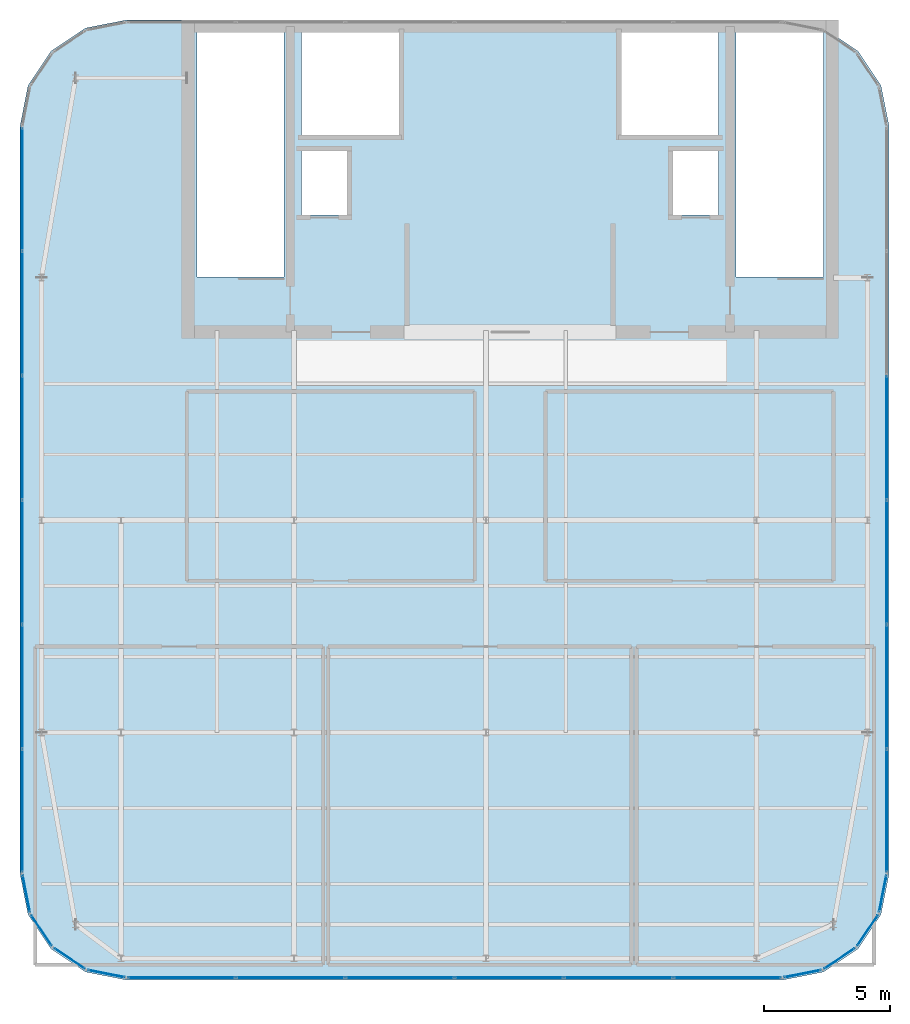
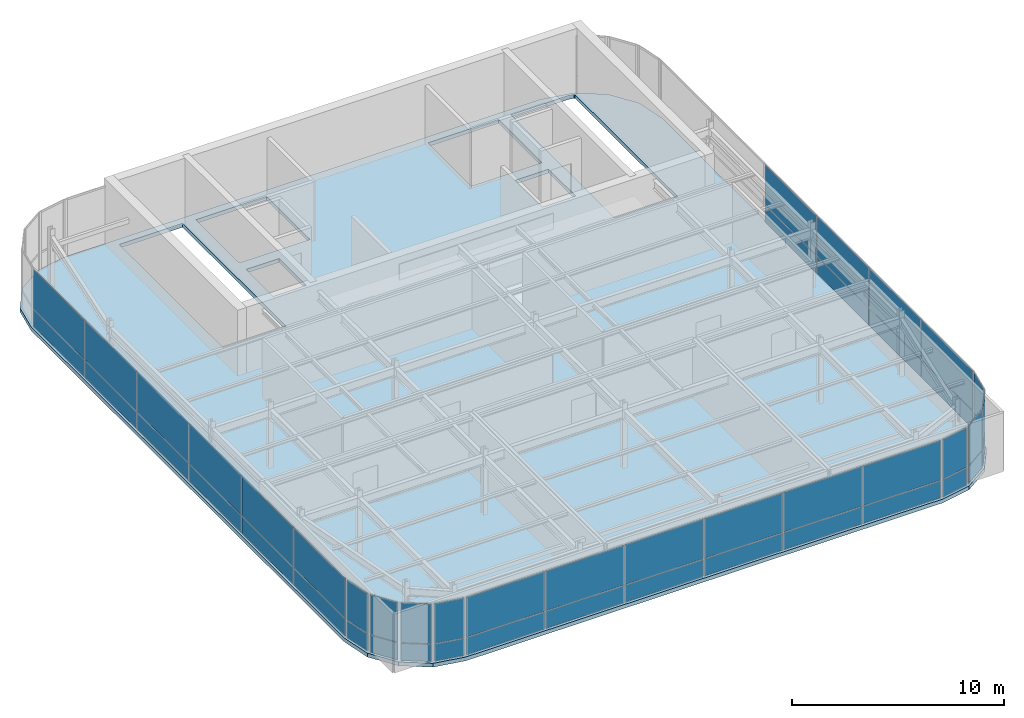
# One storey, part 29 of 35: 48 plates, 1 slab, 11 elements without a shape of their own.
"""IFC4 building model written with IfcOpenShell, lengths in metres."""

import ifcopenshell
import ifcopenshell.guid

model = None  # the IFC model being written
_history = None  # IfcOwnerHistory: only IFC2X3 demands one
_inside = {}  # id of a spatial element -> (the spatial element, [elements in it])
_under = {}  # id of a project, library or spatial element -> (it, [spatial elements below it])
_declared = {}  # id of a project -> (the project, [libraries it declares])
_typed = {}  # id of a type object -> (the type object, [elements of that type])
_made_of = {}  # id of a material, layer set ... -> (it, [elements and type objects made of it])


def new_model(schema):
    """Start an empty IFC model of exactly this schema.

    Asked for "IFC4X3", IfcOpenShell would pick the latest addendum, in which some entities
    have other attributes; the version numbers below select the first issue.
    IFC2X3 requires an IfcOwnerHistory on every rooted entity: one is made here for all.
    """
    global model, _history
    if schema == "IFC4X3":
        model = ifcopenshell.file(schema_version=(4, 3, 0, 0))
    else:
        model = ifcopenshell.file(schema=schema)
    _inside.clear()
    _under.clear()
    _declared.clear()
    _typed.clear()
    _made_of.clear()
    _history = None
    if model.schema == "IFC2X3":
        org = make("IfcOrganization", Name="unknown")
        user = make(
            "IfcPersonAndOrganization",
            ThePerson=make("IfcPerson", FamilyName="unknown"),
            TheOrganization=org,
        )
        app = make(
            "IfcApplication",
            ApplicationDeveloper=org,
            Version="unknown",
            ApplicationFullName="unknown",
            ApplicationIdentifier="unknown",
        )
        _history = make(
            "IfcOwnerHistory",
            OwningUser=user,
            OwningApplication=app,
            ChangeAction="ADDED",
            CreationDate=0,
        )
    return model


def make(cls, **values):
    """One entity of the class cls with the attributes given. An attribute that is None is left unset."""
    return model.create_entity(
        cls, **{name: value for name, value in values.items() if value is not None}
    )


def rooted(cls, **values):
    """An entity with a GlobalId (a new one), such as an element, a storey or a relation."""
    return make(cls, GlobalId=ifcopenshell.guid.new(), OwnerHistory=_history, **values)


def si_unit(unit_type, name, prefix=None):
    """IfcSIUnit, for example si_unit("LENGTHUNIT", "METRE", prefix="MILLI")."""
    return make("IfcSIUnit", UnitType=unit_type, Prefix=prefix, Name=name)


def assignment(units):
    """IfcUnitAssignment: the units of a project."""
    return None if units is None else make("IfcUnitAssignment", Units=units)


def point(xyz):
    """IfcCartesianPoint."""
    return None if xyz is None else make("IfcCartesianPoint", Coordinates=xyz)


def direction(xyz):
    """IfcDirection."""
    return None if xyz is None else make("IfcDirection", DirectionRatios=xyz)


def frame(location, z_axis=None, x_axis=None):
    """IfcAxis2Placement3D, a coordinate frame: its origin and axes. An axis left out is left unset."""
    return make(
        "IfcAxis2Placement3D",
        Location=point(location),
        Axis=direction(z_axis),
        RefDirection=direction(x_axis),
    )


def frame_2d(location, x_axis=None):
    """IfcAxis2Placement2D, a coordinate frame in the plane: its origin and x axis."""
    return make(
        "IfcAxis2Placement2D", Location=point(location), RefDirection=direction(x_axis)
    )


def origin():
    """The frame at (0, 0, 0) with its axes left unset."""
    return frame((0.0, 0.0, 0.0))


def origin_2d():
    """The frame at (0, 0) in the plane with its x axis left unset."""
    return frame_2d((0.0, 0.0))


def place(relative_to, where):
    """IfcLocalPlacement: puts the frame where relative to a parent placement (None: the world)."""
    return make(
        "IfcLocalPlacement", PlacementRelTo=relative_to, RelativePlacement=where
    )


def context(
    kind, dimensions, precision=None, world=None, true_north=None, identifier=None
):
    """IfcGeometricRepresentationContext, for example the 3D "Model" context."""
    return make(
        "IfcGeometricRepresentationContext",
        ContextIdentifier=identifier,
        ContextType=kind,
        CoordinateSpaceDimension=dimensions,
        Precision=precision,
        WorldCoordinateSystem=world,
        TrueNorth=true_north,
    )


def subcontext(parent, identifier, kind, view, scale=None):
    """IfcGeometricRepresentationSubContext, for example "Body" below "Model"."""
    return make(
        "IfcGeometricRepresentationSubContext",
        ContextIdentifier=identifier,
        ContextType=kind,
        ParentContext=parent,
        TargetScale=scale,
        TargetView=view,
    )


def project(units=None, contexts=None):
    """IfcProject with its units and contexts."""
    return rooted(
        "IfcProject",
        Name="project",
        RepresentationContexts=contexts,
        UnitsInContext=assignment(units),
    )


def spatial(cls, under=None, at=None, **own):
    """A site, building, storey or space (cls), placed at a placement, below another one or the project."""
    s = rooted(cls, ObjectPlacement=at, **own)
    if under is not None:
        _under.setdefault(under.id(), (under, []))[1].append(s)
    return s


def polyline(points):
    """IfcPolyline through the points."""
    return make("IfcPolyline", Points=[point(p) for p in points])


def profile(cls, at=None, kind="AREA", **sizes):
    """A parametric profile (cls). Its sizes go by their IFC names, for example OverallWidth=200.0."""
    return make(cls, ProfileType=kind, Position=at, **sizes)


def rectangle(**sizes):
    """IfcRectangleProfileDef."""
    return profile("IfcRectangleProfileDef", **sizes)


def outline(outer, holes=None, kind="AREA"):
    """IfcArbitraryClosedProfileDef: a profile drawn as a closed curve; with holes, ...WithVoids."""
    if holes is None:
        return make("IfcArbitraryClosedProfileDef", ProfileType=kind, OuterCurve=outer)
    return make(
        "IfcArbitraryProfileDefWithVoids",
        ProfileType=kind,
        OuterCurve=outer,
        InnerCurves=holes,
    )


def extrude(swept, where, along, depth):
    """IfcExtrudedAreaSolid: the profile swept, set in the frame where, extruded along a direction by depth."""
    return make(
        "IfcExtrudedAreaSolid",
        SweptArea=swept,
        Position=where,
        ExtrudedDirection=direction(along),
        Depth=depth,
    )


def shape(context_of_items, identifier, shape_type, items):
    """IfcShapeRepresentation: the items that make up one representation, for example the "Body"."""
    return make(
        "IfcShapeRepresentation",
        ContextOfItems=context_of_items,
        RepresentationIdentifier=identifier,
        RepresentationType=shape_type,
        Items=items,
    )


def source(mapping_origin, context_of_items, identifier, shape_type, items):
    """IfcRepresentationMap: a shape defined once, which mapped items show again and again."""
    return make(
        "IfcRepresentationMap",
        MappingOrigin=mapping_origin,
        MappedRepresentation=shape(context_of_items, identifier, shape_type, items),
    )


def transform(
    local_origin,
    x_axis=None,
    y_axis=None,
    z_axis=None,
    scale=None,
    scale2=None,
    scale3=None,
    uniform=True,
):
    """IfcCartesianTransformationOperator3D, or its non-uniform kind. x_axis, y_axis, z_axis: its Axis1, 2, 3."""
    if uniform:
        return make(
            "IfcCartesianTransformationOperator3D",
            Axis1=direction(x_axis),
            Axis2=direction(y_axis),
            LocalOrigin=point(local_origin),
            Scale=scale,
            Axis3=direction(z_axis),
        )
    return make(
        "IfcCartesianTransformationOperator3DnonUniform",
        Axis1=direction(x_axis),
        Axis2=direction(y_axis),
        LocalOrigin=point(local_origin),
        Scale=scale,
        Axis3=direction(z_axis),
        Scale2=scale2,
        Scale3=scale3,
    )


def mapped(mapping_source, mapping_target):
    """IfcMappedItem: shows the shape of a source again, moved by a transform."""
    return make(
        "IfcMappedItem", MappingSource=mapping_source, MappingTarget=mapping_target
    )


def material(Name=None, Category=None):
    """IfcMaterial."""
    return make("IfcMaterial", Name=Name, Category=Category)


def layer(
    of_material, thickness, ventilated=None, Name=None, Category=None, Priority=None
):
    """IfcMaterialLayer: one layer of a wall or slab, of a material (None: an air gap)."""
    return make(
        "IfcMaterialLayer",
        Material=of_material,
        LayerThickness=thickness,
        IsVentilated=ventilated,
        Name=Name,
        Category=Category,
        Priority=Priority,
    )


def layer_set(layers, Name=None):
    """IfcMaterialLayerSet."""
    return make("IfcMaterialLayerSet", MaterialLayers=layers, LayerSetName=Name)


def made_of(thing, what):
    """Note that an element or type object is made of a material, layer set ...; save() writes the relation."""
    if what is not None:
        _made_of.setdefault(what.id(), (what, []))[1].append(thing)
    return thing


def type_object(cls, material=None, **own):
    """A type object (cls), such as IfcWallType, which elements share."""
    return made_of(rooted(cls, **own), material)


def type_shapes(of_type, sources):
    """Give a type object the sources (RepresentationMaps) that its elements show as mapped items."""
    of_type.RepresentationMaps = sources


def element(
    cls,
    number,
    at=None,
    inside=None,
    cuts=None,
    type_object=None,
    material=None,
    context=None,
    identifier="Body",
    shape_type=None,
    held_by="IfcProductDefinitionShape",
    body=None,
    shapes=None,
    **own,
):
    """One element of the class cls, such as IfcWall. Its Tag is "e" and its number.

    at: its placement. inside: the storey or other place that contains it. cuts: it is an
    opening in that element (IfcRelVoidsElement). A single representation is given by context,
    identifier, shape_type and body (its items); several are given by shapes. held_by: the class
    of the entity that holds the representations. save() writes the other relations.
    """
    e = rooted(cls, Tag="e%d" % number, ObjectPlacement=at, **own)
    if body is not None:
        shapes = [shape(context, identifier, shape_type, body)]
    if shapes is not None:
        e.Representation = make(held_by, Representations=shapes)
    if inside is not None:
        _inside.setdefault(inside.id(), (inside, []))[1].append(e)
    if cuts is not None:
        rooted(
            "IfcRelVoidsElement", RelatingBuildingElement=cuts, RelatedOpeningElement=e
        )
    if type_object is not None:
        _typed.setdefault(type_object.id(), (type_object, []))[1].append(e)
    return made_of(e, material)


def aggregate(whole, parts):
    """IfcRelAggregates: a whole, such as a stair, and the parts it consists of."""
    return rooted("IfcRelAggregates", RelatingObject=whole, RelatedObjects=parts)


def save(model, path):
    """Write the relations noted so far, then the file.

    IfcRelAggregates (storeys below a building ...), IfcRelContainedInSpatialStructure (elements
    in a storey), IfcRelDefinesByType, IfcRelAssociatesMaterial and IfcRelDeclares: one each for
    every whole, place, type object, material and project.
    """
    for whole, parts in _under.values():
        aggregate(whole, parts)
    for where, things in _inside.values():
        rooted(
            "IfcRelContainedInSpatialStructure",
            RelatedElements=things,
            RelatingStructure=where,
        )
    for kind, things in _typed.values():
        rooted("IfcRelDefinesByType", RelatedObjects=things, RelatingType=kind)
    for what, things in _made_of.values():
        rooted("IfcRelAssociatesMaterial", RelatedObjects=things, RelatingMaterial=what)
    for by, libraries in _declared.values():
        rooted("IfcRelDeclares", RelatingContext=by, RelatedDefinitions=libraries)
    model.write(path)


model = new_model("IFC4")

# Units and contexts
model_context = context("Model", 3, precision=1e-05, world=origin(), true_north=direction((0.0, 1.0)))
body_context = subcontext(model_context, "Body", "Model", "MODEL_VIEW")
ifc_project = project(units=[si_unit("LENGTHUNIT", "METRE"), si_unit("AREAUNIT", "SQUARE_METRE"), si_unit("VOLUMEUNIT", "CUBIC_METRE"), si_unit("PLANEANGLEUNIT", "RADIAN"), si_unit("MASSUNIT", "GRAM", prefix="KILO")], contexts=[model_context])

# Site, building, storey
site_placement = place(None, origin())
site = spatial("IfcSite", under=ifc_project, at=site_placement, CompositionType="ELEMENT")
building_placement = place(site_placement, origin())
building = spatial("IfcBuilding", under=site, at=building_placement, Name="Tolvann Quenvar Hotel", CompositionType="ELEMENT")
storey_placement = place(building_placement, frame((0.0, 0.0, 309.949951171875)))
storey = spatial("IfcBuildingStorey", under=building, at=storey_placement, Name="L82", CompositionType="ELEMENT", Elevation=309.949951171875)

# Slab
ifc_material_1 = material(Name="Concrete N50 (50 MPa)", Category="concrete")
ifc_layer_1 = layer(ifc_material_1, 0.219970703125)
ifc_layer_set_1 = layer_set([ifc_layer_1], Name="Concrete N50 (50 MPa)")
slab_type = type_object("IfcSlabType", Name="SLAB_UPR_220", PredefinedType="FLOOR", material=ifc_layer_set_1)
slab_placement = place(storey_placement, frame((0.0, 0.0, -0.219970703125)))
element("IfcSlab", 1, at=slab_placement, inside=storey, type_object=slab_type, Name="Level L82 Structural Floor Slab", PredefinedType="FLOOR", context=body_context, shape_type="SweptSolid", body=[
    extrude(outline(polyline([(3.60009765625, 10.39990234375), (3.919677734375, 8.792724609375), (4.830078125, 7.43017578125), (6.192626953125, 6.519775390625), (7.800048828125, 6.199951171875), (33.800048828125, 6.199951171875), (35.4072265625, 6.519775390625), (36.769775390625, 7.43017578125), (37.680419921875, 8.792724609375), (38.0, 10.39990234375), (38.0, 40.0), (37.680419921875, 41.607421875), (36.769775390625, 42.9697265625), (35.4072265625, 43.88037109375), (33.800048828125, 44.199951171875), (7.800048828125, 44.199951171875), (6.192626953125, 43.88037109375), (4.830078125, 42.9697265625), (3.919677734375, 41.607421875), (3.60009765625, 40.0), (3.60009765625, 10.39990234375)]), holes=[polyline([(35.093505859375, 43.800048828125), (35.352783203125, 43.748291015625), (35.39990234375, 43.716796875), (35.39990234375, 34.02490234375), (31.949951171875, 34.02490234375), (31.949951171875, 43.800048828125), (35.093505859375, 43.800048828125)]), polyline([(29.449951171875, 36.47998046875), (29.449951171875, 39.02001953125), (31.25, 39.02001953125), (31.25, 36.47998046875), (29.449951171875, 36.47998046875)]), polyline([(27.39990234375, 39.64990234375), (27.39990234375, 43.75), (31.25, 43.75), (31.25, 39.64990234375), (27.39990234375, 39.64990234375)]), polyline([(14.75, 39.64990234375), (14.75, 43.75), (18.60009765625, 43.75), (18.60009765625, 39.64990234375), (14.75, 39.64990234375)]), polyline([(16.550048828125, 36.47998046875), (14.75, 36.47998046875), (14.75, 39.02001953125), (16.550048828125, 39.02001953125), (16.550048828125, 36.47998046875)]), polyline([(14.050048828125, 34.02490234375), (10.60009765625, 34.02490234375), (10.60009765625, 43.800048828125), (14.050048828125, 43.800048828125), (14.050048828125, 34.02490234375)])]), origin(), (0.0, 0.0, 1.0), 0.219970703125),
])

# Curtain wall, plate
ifc_material_2 = material(Name="Thermally broken anodised architectural aluminium 6063-T6 and laminated low-E glass", Category="aluminium")
ifc_layer_2 = layer(ifc_material_2, 0.179931640625)
ifc_layer_set_2 = layer_set([ifc_layer_2], Name="Thermally broken anodised architectural aluminium 6063-T6 and laminated low-E glass")
curtain_wall_type = type_object("IfcCurtainWallType", Name="CW_SYS_LANT_06", PredefinedType="USERDEFINED", material=ifc_layer_set_2)
curtain_wall_1_placement = place(storey_placement, origin())
curtain_wall_1 = element("IfcCurtainWall", 2, at=curtain_wall_1_placement, inside=storey, type_object=curtain_wall_type, Name="Curtain Wall CW-LANT-06 (CWR-L82-E01)", ObjectType="UNITISED CURTAIN WALL", PredefinedType="USERDEFINED")
ifc_material_3 = material(Name="Diffused translucent ceramic-frit laminated lantern glass", Category="glass")
ifc_layer_3 = layer(ifc_material_3, 0.031982421875)
ifc_layer_set_3 = layer_set([ifc_layer_3], Name="Diffused translucent ceramic-frit laminated lantern glass")
plate_type = type_object("IfcPlateType", Name="CW_PAN_LANT_32", PredefinedType="CURTAIN_PANEL", material=ifc_layer_set_3)
shared_shape_1 = source(origin(), body_context, "Body", "SweptSolid", [
    extrude(rectangle(XDim=1.439208984375, YDim=0.031982421875, at=origin_2d()), origin(), (0.0, 0.0, 1.0), 0.97509765625),
])
plate_1_placement = place(storey_placement, frame((4.44970703125, 8.16162109375, 0.050048828125), z_axis=(0.0, 0.0, 1.0), x_axis=(0.555655769644, -0.831412452193, 0.0)))
plate_1 = element("IfcPlate", 3, at=plate_1_placement, type_object=plate_type, Name="CW-LANT-06 panel 1.1", PredefinedType="CURTAIN_PANEL", context=body_context, shape_type="MappedRepresentation", body=[
    mapped(shared_shape_1, transform((0.0, 0.0, 0.0), x_axis=(1.0, 0.0, 0.0), y_axis=(0.0, 1.0, 0.0), z_axis=(0.0, 0.0, 1.0), scale=1.0)),
])

curtain_wall_2_placement = place(storey_placement, origin())
curtain_wall_2 = element("IfcCurtainWall", 4, at=curtain_wall_2_placement, inside=storey, type_object=curtain_wall_type, Name="Curtain Wall CW-LANT-06 (CWR-L82-E02)", ObjectType="UNITISED CURTAIN WALL", PredefinedType="USERDEFINED")
plate_2_placement = place(storey_placement, frame((5.5615234375, 7.0498046875, 0.050048828125), z_axis=(0.0, 0.0, 1.0), x_axis=(0.831412452193, -0.555655769644, 0.0)))
plate_2 = element("IfcPlate", 5, at=plate_2_placement, type_object=plate_type, Name="CW-LANT-06 panel 1.1", PredefinedType="CURTAIN_PANEL", context=body_context, shape_type="MappedRepresentation", body=[
    mapped(shared_shape_1, transform((0.0, 0.0, 0.0), x_axis=(1.0, 0.0, 0.0), y_axis=(0.0, 1.0, 0.0), z_axis=(0.0, 0.0, 1.0), scale=1.0)),
])

curtain_wall_3_placement = place(storey_placement, origin())
curtain_wall_3 = element("IfcCurtainWall", 6, at=curtain_wall_3_placement, inside=storey, type_object=curtain_wall_type, Name="Curtain Wall CW-LANT-06 (CWR-L82-E06)", ObjectType="UNITISED CURTAIN WALL", PredefinedType="USERDEFINED")
plate_3_placement = place(storey_placement, frame((36.03857421875, 7.0498046875, 0.050048828125), z_axis=(0.0, 0.0, 1.0), x_axis=(0.831412452193, 0.555655769644, 0.0)))
plate_3 = element("IfcPlate", 7, at=plate_3_placement, type_object=plate_type, Name="CW-LANT-06 panel 1.1", PredefinedType="CURTAIN_PANEL", context=body_context, shape_type="MappedRepresentation", body=[
    mapped(shared_shape_1, transform((0.0, 0.0, 0.0), x_axis=(1.0, 0.0, 0.0), y_axis=(0.0, 1.0, 0.0), z_axis=(0.0, 0.0, 1.0), scale=1.0)),
])

curtain_wall_4_placement = place(storey_placement, origin())
curtain_wall_4 = element("IfcCurtainWall", 8, at=curtain_wall_4_placement, inside=storey, type_object=curtain_wall_type, Name="Curtain Wall CW-LANT-06 (CWR-L82-E07)", ObjectType="UNITISED CURTAIN WALL", PredefinedType="USERDEFINED")
plate_4_placement = place(storey_placement, frame((37.150146484375, 8.16162109375, 0.050048828125), z_axis=(0.0, 0.0, 1.0), x_axis=(0.555655769644, 0.831412452193, 0.0)))
plate_4 = element("IfcPlate", 9, at=plate_4_placement, type_object=plate_type, Name="CW-LANT-06 panel 1.1", PredefinedType="CURTAIN_PANEL", context=body_context, shape_type="MappedRepresentation", body=[
    mapped(shared_shape_1, transform((0.0, 0.0, 0.0), x_axis=(1.0, 0.0, 0.0), y_axis=(0.0, 1.0, 0.0), z_axis=(0.0, 0.0, 1.0), scale=1.0)),
])

curtain_wall_5_placement = place(storey_placement, origin())
curtain_wall_5 = element("IfcCurtainWall", 10, at=curtain_wall_5_placement, inside=storey, type_object=curtain_wall_type, Name="Curtain Wall CW-LANT-06 (CWR-L82-E03)", ObjectType="UNITISED CURTAIN WALL", PredefinedType="USERDEFINED")
shared_shape_2 = source(origin(), body_context, "Body", "SweptSolid", [
    extrude(rectangle(XDim=1.456787109375, YDim=0.031982421875, at=origin_2d()), origin(), (0.0, 0.0, 1.0), 0.97509765625),
])
plate_5_placement = place(storey_placement, frame((7.0224609375, 6.4462890625, 0.050048828125), z_axis=(0.0, 0.0, 1.0), x_axis=(0.980790999222, -0.195061569369, 0.0)))
plate_5 = element("IfcPlate", 11, at=plate_5_placement, type_object=plate_type, Name="CW-LANT-06 panel 1.1", PredefinedType="CURTAIN_PANEL", context=body_context, shape_type="MappedRepresentation", body=[
    mapped(shared_shape_2, transform((0.0, 0.0, 0.0), x_axis=(1.0, 0.0, 0.0), y_axis=(0.0, 1.0, 0.0), z_axis=(0.0, 0.0, 1.0), scale=1.0)),
])

curtain_wall_6_placement = place(storey_placement, origin())
curtain_wall_6 = element("IfcCurtainWall", 12, at=curtain_wall_6_placement, inside=storey, type_object=curtain_wall_type, Name="Curtain Wall CW-LANT-06 (CWR-L82-E05)", ObjectType="UNITISED CURTAIN WALL", PredefinedType="USERDEFINED")
plate_6_placement = place(storey_placement, frame((34.577392578125, 6.4462890625, 0.050048828125), z_axis=(0.0, 0.0, 1.0), x_axis=(0.980790999222, 0.195061569369, 0.0)))
plate_6 = element("IfcPlate", 13, at=plate_6_placement, type_object=plate_type, Name="CW-LANT-06 panel 1.1", PredefinedType="CURTAIN_PANEL", context=body_context, shape_type="MappedRepresentation", body=[
    mapped(shared_shape_2, transform((0.0, 0.0, 0.0), x_axis=(1.0, 0.0, 0.0), y_axis=(0.0, 1.0, 0.0), z_axis=(0.0, 0.0, 1.0), scale=1.0)),
])

curtain_wall_7_placement = place(storey_placement, origin())
curtain_wall_7 = element("IfcCurtainWall", 14, at=curtain_wall_7_placement, inside=storey, type_object=curtain_wall_type, Name="Curtain Wall CW-LANT-06 (CWR-L82-E08)", ObjectType="UNITISED CURTAIN WALL", PredefinedType="USERDEFINED")
plate_7_placement = place(storey_placement, frame((37.753662109375, 9.62255859375, 0.050048828125), z_axis=(0.0, 0.0, 1.0), x_axis=(0.195061569369, 0.980790999222, 0.0)))
plate_7 = element("IfcPlate", 15, at=plate_7_placement, type_object=plate_type, Name="CW-LANT-06 panel 1.1", PredefinedType="CURTAIN_PANEL", context=body_context, shape_type="MappedRepresentation", body=[
    mapped(shared_shape_2, transform((0.0, 0.0, 0.0), x_axis=(1.0, 0.0, 0.0), y_axis=(0.0, 1.0, 0.0), z_axis=(0.0, 0.0, 1.0), scale=1.0)),
])

curtain_wall_8_placement = place(storey_placement, origin())
curtain_wall_8 = element("IfcCurtainWall", 16, at=curtain_wall_8_placement, inside=storey, type_object=curtain_wall_type, Name="Curtain Wall CW-LANT-06 (CWR-L82-E20)", ObjectType="UNITISED CURTAIN WALL", PredefinedType="USERDEFINED")
plate_8_placement = place(storey_placement, frame((3.846435546875, 9.62255859375, 0.050048828125), z_axis=(0.0, 0.0, 1.0), x_axis=(0.195061569369, -0.980790999222, 0.0)))
plate_8 = element("IfcPlate", 17, at=plate_8_placement, type_object=plate_type, Name="CW-LANT-06 panel 1.1", PredefinedType="CURTAIN_PANEL", context=body_context, shape_type="MappedRepresentation", body=[
    mapped(shared_shape_2, transform((0.0, 0.0, 0.0), x_axis=(1.0, 0.0, 0.0), y_axis=(0.0, 1.0, 0.0), z_axis=(0.0, 0.0, 1.0), scale=1.0)),
])

# Curtain wall, plates
curtain_wall_9_placement = place(storey_placement, origin())
curtain_wall_9 = element("IfcCurtainWall", 18, at=curtain_wall_9_placement, inside=storey, type_object=curtain_wall_type, Name="Curtain Wall CW-LANT-06 (CWR-L82-E04)", ObjectType="UNITISED CURTAIN WALL", PredefinedType="USERDEFINED")
shared_shape_3 = source(origin(), body_context, "Body", "SweptSolid", [
    extrude(rectangle(XDim=4.22998046875, YDim=0.031982421875, at=origin_2d()), origin(), (0.0, 0.0, 1.0), 0.97509765625),
])
plate_9_placement = place(storey_placement, frame((9.997314453125, 6.2900390625, 0.050048828125), z_axis=(0.0, 0.0, 1.0), x_axis=(1.0, 0.0, 0.0)))
plate_9 = element("IfcPlate", 19, at=plate_9_placement, type_object=plate_type, Name="CW-LANT-06 panel 1.1", PredefinedType="CURTAIN_PANEL", context=body_context, shape_type="MappedRepresentation", body=[
    mapped(shared_shape_3, transform((0.0, 0.0, 0.0), x_axis=(1.0, 0.0, 0.0), y_axis=(0.0, 1.0, 0.0), z_axis=(0.0, 0.0, 1.0), scale=1.0)),
])
plate_10_placement = place(storey_placement, frame((31.602783203125, 6.2900390625, 0.050048828125), z_axis=(0.0, 0.0, 1.0), x_axis=(1.0, 0.0, 0.0)))
plate_10 = element("IfcPlate", 20, at=plate_10_placement, type_object=plate_type, Name="CW-LANT-06 panel 6.1", PredefinedType="CURTAIN_PANEL", context=body_context, shape_type="MappedRepresentation", body=[
    mapped(shared_shape_3, transform((0.0, 0.0, 0.0), x_axis=(1.0, 0.0, 0.0), y_axis=(0.0, 1.0, 0.0), z_axis=(0.0, 0.0, 1.0), scale=1.0)),
])
shared_shape_4 = source(origin(), body_context, "Body", "SweptSolid", [
    extrude(rectangle(XDim=4.2626953125, YDim=0.031982421875, at=origin_2d()), origin(), (0.0, 0.0, 1.0), 0.97509765625),
])
plate_11_placement = place(storey_placement, frame((14.30859375, 6.2900390625, 0.050048828125), z_axis=(0.0, 0.0, 1.0), x_axis=(1.0, 0.0, 0.0)))
plate_11 = element("IfcPlate", 21, at=plate_11_placement, type_object=plate_type, Name="CW-LANT-06 panel 2.1", PredefinedType="CURTAIN_PANEL", context=body_context, shape_type="MappedRepresentation", body=[
    mapped(shared_shape_4, transform((0.0, 0.0, 0.0), x_axis=(1.0, 0.0, 0.0), y_axis=(0.0, 1.0, 0.0), z_axis=(0.0, 0.0, 1.0), scale=1.0)),
])
plate_12_placement = place(storey_placement, frame((18.63623046875, 6.2900390625, 0.050048828125), z_axis=(0.0, 0.0, 1.0), x_axis=(1.0, 0.0, 0.0)))
plate_12 = element("IfcPlate", 22, at=plate_12_placement, type_object=plate_type, Name="CW-LANT-06 panel 3.1", PredefinedType="CURTAIN_PANEL", context=body_context, shape_type="MappedRepresentation", body=[
    mapped(shared_shape_4, transform((0.0, 0.0, 0.0), x_axis=(1.0, 0.0, 0.0), y_axis=(0.0, 1.0, 0.0), z_axis=(0.0, 0.0, 1.0), scale=1.0)),
])
plate_13_placement = place(storey_placement, frame((22.9638671875, 6.2900390625, 0.050048828125), z_axis=(0.0, 0.0, 1.0), x_axis=(1.0, 0.0, 0.0)))
plate_13 = element("IfcPlate", 23, at=plate_13_placement, type_object=plate_type, Name="CW-LANT-06 panel 4.1", PredefinedType="CURTAIN_PANEL", context=body_context, shape_type="MappedRepresentation", body=[
    mapped(shared_shape_4, transform((0.0, 0.0, 0.0), x_axis=(1.0, 0.0, 0.0), y_axis=(0.0, 1.0, 0.0), z_axis=(0.0, 0.0, 1.0), scale=1.0)),
])
plate_14_placement = place(storey_placement, frame((27.29150390625, 6.2900390625, 0.050048828125), z_axis=(0.0, 0.0, 1.0), x_axis=(1.0, 0.0, 0.0)))
plate_14 = element("IfcPlate", 24, at=plate_14_placement, type_object=plate_type, Name="CW-LANT-06 panel 5.1", PredefinedType="CURTAIN_PANEL", context=body_context, shape_type="MappedRepresentation", body=[
    mapped(shared_shape_4, transform((0.0, 0.0, 0.0), x_axis=(1.0, 0.0, 0.0), y_axis=(0.0, 1.0, 0.0), z_axis=(0.0, 0.0, 1.0), scale=1.0)),
])

# Curtain wall, plate
curtain_wall_10_placement = place(storey_placement, origin())
curtain_wall_10 = element("IfcCurtainWall", 25, at=curtain_wall_10_placement, inside=storey, type_object=curtain_wall_type, Name="Curtain Wall CW-LANT-06 (CWR-L82-E09)", ObjectType="UNITISED CURTAIN WALL", PredefinedType="USERDEFINED")
shared_shape_5 = source(origin(), body_context, "Body", "SweptSolid", [
    extrude(rectangle(XDim=4.830078125, YDim=0.031982421875, at=origin_2d()), origin(), (0.0, 0.0, 1.0), 0.97509765625),
])
plate_15_placement = place(storey_placement, frame((37.909912109375, 12.897216796875, 0.050048828125), z_axis=(0.0, 0.0, 1.0), x_axis=(0.0, 1.0, 0.0)))
plate_15 = element("IfcPlate", 26, at=plate_15_placement, type_object=plate_type, Name="CW-LANT-06 panel 1.1", PredefinedType="CURTAIN_PANEL", context=body_context, shape_type="MappedRepresentation", body=[
    mapped(shared_shape_5, transform((0.0, 0.0, 0.0), x_axis=(1.0, 0.0, 0.0), y_axis=(0.0, 1.0, 0.0), z_axis=(0.0, 0.0, 1.0), scale=1.0)),
])

# Curtain wall, plates
curtain_wall_11_placement = place(storey_placement, origin())
curtain_wall_11 = element("IfcCurtainWall", 27, at=curtain_wall_11_placement, inside=storey, type_object=curtain_wall_type, Name="Curtain Wall CW-LANT-06 (CWR-L82-E19)", ObjectType="UNITISED CURTAIN WALL", PredefinedType="USERDEFINED")
plate_16_placement = place(storey_placement, frame((3.68994140625, 37.502685546875, 0.050048828125), z_axis=(0.0, 0.0, 1.0), x_axis=(0.0, -1.0, 0.0)))
plate_16 = element("IfcPlate", 28, at=plate_16_placement, type_object=plate_type, Name="CW-LANT-06 panel 1.1", PredefinedType="CURTAIN_PANEL", context=body_context, shape_type="MappedRepresentation", body=[
    mapped(shared_shape_5, transform((0.0, 0.0, 0.0), x_axis=(1.0, 0.0, 0.0), y_axis=(0.0, 1.0, 0.0), z_axis=(0.0, 0.0, 1.0), scale=1.0)),
])
plate_17_placement = place(storey_placement, frame((3.68994140625, 12.897216796875, 0.050048828125), z_axis=(0.0, 0.0, 1.0), x_axis=(0.0, -1.0, 0.0)))
plate_17 = element("IfcPlate", 29, at=plate_17_placement, type_object=plate_type, Name="CW-LANT-06 panel 6.1", PredefinedType="CURTAIN_PANEL", context=body_context, shape_type="MappedRepresentation", body=[
    mapped(shared_shape_5, transform((0.0, 0.0, 0.0), x_axis=(1.0, 0.0, 0.0), y_axis=(0.0, 1.0, 0.0), z_axis=(0.0, 0.0, 1.0), scale=1.0)),
])

# Plate
shared_shape_6 = source(origin(), body_context, "Body", "SweptSolid", [
    extrude(rectangle(XDim=4.862548828125, YDim=0.031982421875, at=origin_2d()), origin(), (0.0, 0.0, 1.0), 0.97509765625),
])
plate_18_placement = place(storey_placement, frame((37.909912109375, 17.80859375, 0.050048828125), z_axis=(0.0, 0.0, 1.0), x_axis=(0.0, 1.0, 0.0)))
plate_18 = element("IfcPlate", 30, at=plate_18_placement, type_object=plate_type, Name="CW-LANT-06 panel 2.1", PredefinedType="CURTAIN_PANEL", context=body_context, shape_type="MappedRepresentation", body=[
    mapped(shared_shape_6, transform((0.0, 0.0, 0.0), x_axis=(1.0, 0.0, 0.0), y_axis=(0.0, 1.0, 0.0), z_axis=(0.0, 0.0, 1.0), scale=1.0)),
])

plate_19_placement = place(storey_placement, frame((37.909912109375, 22.736083984375, 0.050048828125), z_axis=(0.0, 0.0, 1.0), x_axis=(0.0, 1.0, 0.0)))
plate_19 = element("IfcPlate", 31, at=plate_19_placement, type_object=plate_type, Name="CW-LANT-06 panel 3.1", PredefinedType="CURTAIN_PANEL", context=body_context, shape_type="MappedRepresentation", body=[
    mapped(shared_shape_6, transform((0.0, 0.0, 0.0), x_axis=(1.0, 0.0, 0.0), y_axis=(0.0, 1.0, 0.0), z_axis=(0.0, 0.0, 1.0), scale=1.0)),
])

plate_20_placement = place(storey_placement, frame((37.909912109375, 27.663818359375, 0.050048828125), z_axis=(0.0, 0.0, 1.0), x_axis=(0.0, 1.0, 0.0)))
plate_20 = element("IfcPlate", 32, at=plate_20_placement, type_object=plate_type, Name="CW-LANT-06 panel 4.1", PredefinedType="CURTAIN_PANEL", context=body_context, shape_type="MappedRepresentation", body=[
    mapped(shared_shape_6, transform((0.0, 0.0, 0.0), x_axis=(1.0, 0.0, 0.0), y_axis=(0.0, 1.0, 0.0), z_axis=(0.0, 0.0, 1.0), scale=1.0)),
])

plate_21_placement = place(storey_placement, frame((3.68994140625, 32.59130859375, 0.050048828125), z_axis=(0.0, 0.0, 1.0), x_axis=(0.0, -1.0, 0.0)))
plate_21 = element("IfcPlate", 33, at=plate_21_placement, type_object=plate_type, Name="CW-LANT-06 panel 2.1", PredefinedType="CURTAIN_PANEL", context=body_context, shape_type="MappedRepresentation", body=[
    mapped(shared_shape_6, transform((0.0, 0.0, 0.0), x_axis=(1.0, 0.0, 0.0), y_axis=(0.0, 1.0, 0.0), z_axis=(0.0, 0.0, 1.0), scale=1.0)),
])

plate_22_placement = place(storey_placement, frame((3.68994140625, 27.663818359375, 0.050048828125), z_axis=(0.0, 0.0, 1.0), x_axis=(0.0, -1.0, 0.0)))
plate_22 = element("IfcPlate", 34, at=plate_22_placement, type_object=plate_type, Name="CW-LANT-06 panel 3.1", PredefinedType="CURTAIN_PANEL", context=body_context, shape_type="MappedRepresentation", body=[
    mapped(shared_shape_6, transform((0.0, 0.0, 0.0), x_axis=(1.0, 0.0, 0.0), y_axis=(0.0, 1.0, 0.0), z_axis=(0.0, 0.0, 1.0), scale=1.0)),
])

plate_23_placement = place(storey_placement, frame((3.68994140625, 22.736083984375, 0.050048828125), z_axis=(0.0, 0.0, 1.0), x_axis=(0.0, -1.0, 0.0)))
plate_23 = element("IfcPlate", 35, at=plate_23_placement, type_object=plate_type, Name="CW-LANT-06 panel 4.1", PredefinedType="CURTAIN_PANEL", context=body_context, shape_type="MappedRepresentation", body=[
    mapped(shared_shape_6, transform((0.0, 0.0, 0.0), x_axis=(1.0, 0.0, 0.0), y_axis=(0.0, 1.0, 0.0), z_axis=(0.0, 0.0, 1.0), scale=1.0)),
])

plate_24_placement = place(storey_placement, frame((3.68994140625, 17.80859375, 0.050048828125), z_axis=(0.0, 0.0, 1.0), x_axis=(0.0, -1.0, 0.0)))
plate_24 = element("IfcPlate", 36, at=plate_24_placement, type_object=plate_type, Name="CW-LANT-06 panel 5.1", PredefinedType="CURTAIN_PANEL", context=body_context, shape_type="MappedRepresentation", body=[
    mapped(shared_shape_6, transform((0.0, 0.0, 0.0), x_axis=(1.0, 0.0, 0.0), y_axis=(0.0, 1.0, 0.0), z_axis=(0.0, 0.0, 1.0), scale=1.0)),
])

shared_shape_7 = source(origin(), body_context, "Body", "SweptSolid", [
    extrude(rectangle(XDim=1.439208984375, YDim=0.031982421875, at=origin_2d()), origin(), (0.0, 0.0, 1.0), 2.27490234375),
])
plate_25_placement = place(storey_placement, frame((4.44970703125, 8.16162109375, 1.0751953125), z_axis=(0.0, 0.0, 1.0), x_axis=(0.555655769644, -0.831412452193, 0.0)))
plate_25 = element("IfcPlate", 37, at=plate_25_placement, type_object=plate_type, Name="CW-LANT-06 panel 1.2", PredefinedType="CURTAIN_PANEL", context=body_context, shape_type="MappedRepresentation", body=[
    mapped(shared_shape_7, transform((0.0, 0.0, 0.0), x_axis=(1.0, 0.0, 0.0), y_axis=(0.0, 1.0, 0.0), z_axis=(0.0, 0.0, 1.0), scale=1.0)),
])

aggregate(curtain_wall_1, [plate_1, plate_25])

plate_26_placement = place(storey_placement, frame((5.5615234375, 7.0498046875, 1.0751953125), z_axis=(0.0, 0.0, 1.0), x_axis=(0.831412452193, -0.555655769644, 0.0)))
plate_26 = element("IfcPlate", 38, at=plate_26_placement, type_object=plate_type, Name="CW-LANT-06 panel 1.2", PredefinedType="CURTAIN_PANEL", context=body_context, shape_type="MappedRepresentation", body=[
    mapped(shared_shape_7, transform((0.0, 0.0, 0.0), x_axis=(1.0, 0.0, 0.0), y_axis=(0.0, 1.0, 0.0), z_axis=(0.0, 0.0, 1.0), scale=1.0)),
])

aggregate(curtain_wall_2, [plate_2, plate_26])

plate_27_placement = place(storey_placement, frame((36.03857421875, 7.0498046875, 1.0751953125), z_axis=(0.0, 0.0, 1.0), x_axis=(0.831412452193, 0.555655769644, 0.0)))
plate_27 = element("IfcPlate", 39, at=plate_27_placement, type_object=plate_type, Name="CW-LANT-06 panel 1.2", PredefinedType="CURTAIN_PANEL", context=body_context, shape_type="MappedRepresentation", body=[
    mapped(shared_shape_7, transform((0.0, 0.0, 0.0), x_axis=(1.0, 0.0, 0.0), y_axis=(0.0, 1.0, 0.0), z_axis=(0.0, 0.0, 1.0), scale=1.0)),
])

aggregate(curtain_wall_3, [plate_3, plate_27])

plate_28_placement = place(storey_placement, frame((37.150146484375, 8.16162109375, 1.0751953125), z_axis=(0.0, 0.0, 1.0), x_axis=(0.555655769644, 0.831412452193, 0.0)))
plate_28 = element("IfcPlate", 40, at=plate_28_placement, type_object=plate_type, Name="CW-LANT-06 panel 1.2", PredefinedType="CURTAIN_PANEL", context=body_context, shape_type="MappedRepresentation", body=[
    mapped(shared_shape_7, transform((0.0, 0.0, 0.0), x_axis=(1.0, 0.0, 0.0), y_axis=(0.0, 1.0, 0.0), z_axis=(0.0, 0.0, 1.0), scale=1.0)),
])

aggregate(curtain_wall_4, [plate_4, plate_28])

shared_shape_8 = source(origin(), body_context, "Body", "SweptSolid", [
    extrude(rectangle(XDim=1.456787109375, YDim=0.031982421875, at=origin_2d()), origin(), (0.0, 0.0, 1.0), 2.27490234375),
])
plate_29_placement = place(storey_placement, frame((7.0224609375, 6.4462890625, 1.0751953125), z_axis=(0.0, 0.0, 1.0), x_axis=(0.980790999222, -0.195061569369, 0.0)))
plate_29 = element("IfcPlate", 41, at=plate_29_placement, type_object=plate_type, Name="CW-LANT-06 panel 1.2", PredefinedType="CURTAIN_PANEL", context=body_context, shape_type="MappedRepresentation", body=[
    mapped(shared_shape_8, transform((0.0, 0.0, 0.0), x_axis=(1.0, 0.0, 0.0), y_axis=(0.0, 1.0, 0.0), z_axis=(0.0, 0.0, 1.0), scale=1.0)),
])

aggregate(curtain_wall_5, [plate_5, plate_29])

plate_30_placement = place(storey_placement, frame((34.577392578125, 6.4462890625, 1.0751953125), z_axis=(0.0, 0.0, 1.0), x_axis=(0.980790999222, 0.195061569369, 0.0)))
plate_30 = element("IfcPlate", 42, at=plate_30_placement, type_object=plate_type, Name="CW-LANT-06 panel 1.2", PredefinedType="CURTAIN_PANEL", context=body_context, shape_type="MappedRepresentation", body=[
    mapped(shared_shape_8, transform((0.0, 0.0, 0.0), x_axis=(1.0, 0.0, 0.0), y_axis=(0.0, 1.0, 0.0), z_axis=(0.0, 0.0, 1.0), scale=1.0)),
])

aggregate(curtain_wall_6, [plate_6, plate_30])

plate_31_placement = place(storey_placement, frame((37.753662109375, 9.62255859375, 1.0751953125), z_axis=(0.0, 0.0, 1.0), x_axis=(0.195061569369, 0.980790999222, 0.0)))
plate_31 = element("IfcPlate", 43, at=plate_31_placement, type_object=plate_type, Name="CW-LANT-06 panel 1.2", PredefinedType="CURTAIN_PANEL", context=body_context, shape_type="MappedRepresentation", body=[
    mapped(shared_shape_8, transform((0.0, 0.0, 0.0), x_axis=(1.0, 0.0, 0.0), y_axis=(0.0, 1.0, 0.0), z_axis=(0.0, 0.0, 1.0), scale=1.0)),
])

aggregate(curtain_wall_7, [plate_7, plate_31])

plate_32_placement = place(storey_placement, frame((3.846435546875, 9.62255859375, 1.0751953125), z_axis=(0.0, 0.0, 1.0), x_axis=(0.195061569369, -0.980790999222, 0.0)))
plate_32 = element("IfcPlate", 44, at=plate_32_placement, type_object=plate_type, Name="CW-LANT-06 panel 1.2", PredefinedType="CURTAIN_PANEL", context=body_context, shape_type="MappedRepresentation", body=[
    mapped(shared_shape_8, transform((0.0, 0.0, 0.0), x_axis=(1.0, 0.0, 0.0), y_axis=(0.0, 1.0, 0.0), z_axis=(0.0, 0.0, 1.0), scale=1.0)),
])

aggregate(curtain_wall_8, [plate_8, plate_32])

shared_shape_9 = source(origin(), body_context, "Body", "SweptSolid", [
    extrude(rectangle(XDim=4.22998046875, YDim=0.031982421875, at=origin_2d()), origin(), (0.0, 0.0, 1.0), 2.27490234375),
])
plate_33_placement = place(storey_placement, frame((9.997314453125, 6.2900390625, 1.0751953125), z_axis=(0.0, 0.0, 1.0), x_axis=(1.0, 0.0, 0.0)))
plate_33 = element("IfcPlate", 45, at=plate_33_placement, type_object=plate_type, Name="CW-LANT-06 panel 1.2", PredefinedType="CURTAIN_PANEL", context=body_context, shape_type="MappedRepresentation", body=[
    mapped(shared_shape_9, transform((0.0, 0.0, 0.0), x_axis=(1.0, 0.0, 0.0), y_axis=(0.0, 1.0, 0.0), z_axis=(0.0, 0.0, 1.0), scale=1.0)),
])

plate_34_placement = place(storey_placement, frame((31.602783203125, 6.2900390625, 1.0751953125), z_axis=(0.0, 0.0, 1.0), x_axis=(1.0, 0.0, 0.0)))
plate_34 = element("IfcPlate", 46, at=plate_34_placement, type_object=plate_type, Name="CW-LANT-06 panel 6.2", PredefinedType="CURTAIN_PANEL", context=body_context, shape_type="MappedRepresentation", body=[
    mapped(shared_shape_9, transform((0.0, 0.0, 0.0), x_axis=(1.0, 0.0, 0.0), y_axis=(0.0, 1.0, 0.0), z_axis=(0.0, 0.0, 1.0), scale=1.0)),
])

shared_shape_10 = source(origin(), body_context, "Body", "SweptSolid", [
    extrude(rectangle(XDim=4.2626953125, YDim=0.031982421875, at=origin_2d()), origin(), (0.0, 0.0, 1.0), 2.27490234375),
])
plate_35_placement = place(storey_placement, frame((14.30859375, 6.2900390625, 1.0751953125), z_axis=(0.0, 0.0, 1.0), x_axis=(1.0, 0.0, 0.0)))
plate_35 = element("IfcPlate", 47, at=plate_35_placement, type_object=plate_type, Name="CW-LANT-06 panel 2.2", PredefinedType="CURTAIN_PANEL", context=body_context, shape_type="MappedRepresentation", body=[
    mapped(shared_shape_10, transform((0.0, 0.0, 0.0), x_axis=(1.0, 0.0, 0.0), y_axis=(0.0, 1.0, 0.0), z_axis=(0.0, 0.0, 1.0), scale=1.0)),
])

plate_36_placement = place(storey_placement, frame((18.63623046875, 6.2900390625, 1.0751953125), z_axis=(0.0, 0.0, 1.0), x_axis=(1.0, 0.0, 0.0)))
plate_36 = element("IfcPlate", 48, at=plate_36_placement, type_object=plate_type, Name="CW-LANT-06 panel 3.2", PredefinedType="CURTAIN_PANEL", context=body_context, shape_type="MappedRepresentation", body=[
    mapped(shared_shape_10, transform((0.0, 0.0, 0.0), x_axis=(1.0, 0.0, 0.0), y_axis=(0.0, 1.0, 0.0), z_axis=(0.0, 0.0, 1.0), scale=1.0)),
])

plate_37_placement = place(storey_placement, frame((22.9638671875, 6.2900390625, 1.0751953125), z_axis=(0.0, 0.0, 1.0), x_axis=(1.0, 0.0, 0.0)))
plate_37 = element("IfcPlate", 49, at=plate_37_placement, type_object=plate_type, Name="CW-LANT-06 panel 4.2", PredefinedType="CURTAIN_PANEL", context=body_context, shape_type="MappedRepresentation", body=[
    mapped(shared_shape_10, transform((0.0, 0.0, 0.0), x_axis=(1.0, 0.0, 0.0), y_axis=(0.0, 1.0, 0.0), z_axis=(0.0, 0.0, 1.0), scale=1.0)),
])

plate_38_placement = place(storey_placement, frame((27.29150390625, 6.2900390625, 1.0751953125), z_axis=(0.0, 0.0, 1.0), x_axis=(1.0, 0.0, 0.0)))
plate_38 = element("IfcPlate", 50, at=plate_38_placement, type_object=plate_type, Name="CW-LANT-06 panel 5.2", PredefinedType="CURTAIN_PANEL", context=body_context, shape_type="MappedRepresentation", body=[
    mapped(shared_shape_10, transform((0.0, 0.0, 0.0), x_axis=(1.0, 0.0, 0.0), y_axis=(0.0, 1.0, 0.0), z_axis=(0.0, 0.0, 1.0), scale=1.0)),
])

aggregate(curtain_wall_9, [plate_9, plate_33, plate_11, plate_35, plate_12, plate_36, plate_13, plate_37, plate_14, plate_38, plate_10, plate_34])

shared_shape_11 = source(origin(), body_context, "Body", "SweptSolid", [
    extrude(rectangle(XDim=4.830078125, YDim=0.031982421875, at=origin_2d()), origin(), (0.0, 0.0, 1.0), 2.27490234375),
])
plate_39_placement = place(storey_placement, frame((37.909912109375, 12.897216796875, 1.0751953125), z_axis=(0.0, 0.0, 1.0), x_axis=(0.0, 1.0, 0.0)))
plate_39 = element("IfcPlate", 51, at=plate_39_placement, type_object=plate_type, Name="CW-LANT-06 panel 1.2", PredefinedType="CURTAIN_PANEL", context=body_context, shape_type="MappedRepresentation", body=[
    mapped(shared_shape_11, transform((0.0, 0.0, 0.0), x_axis=(1.0, 0.0, 0.0), y_axis=(0.0, 1.0, 0.0), z_axis=(0.0, 0.0, 1.0), scale=1.0)),
])

plate_40_placement = place(storey_placement, frame((3.68994140625, 37.502685546875, 1.0751953125), z_axis=(0.0, 0.0, 1.0), x_axis=(0.0, -1.0, 0.0)))
plate_40 = element("IfcPlate", 52, at=plate_40_placement, type_object=plate_type, Name="CW-LANT-06 panel 1.2", PredefinedType="CURTAIN_PANEL", context=body_context, shape_type="MappedRepresentation", body=[
    mapped(shared_shape_11, transform((0.0, 0.0, 0.0), x_axis=(1.0, 0.0, 0.0), y_axis=(0.0, 1.0, 0.0), z_axis=(0.0, 0.0, 1.0), scale=1.0)),
])

plate_41_placement = place(storey_placement, frame((3.68994140625, 12.897216796875, 1.0751953125), z_axis=(0.0, 0.0, 1.0), x_axis=(0.0, -1.0, 0.0)))
plate_41 = element("IfcPlate", 53, at=plate_41_placement, type_object=plate_type, Name="CW-LANT-06 panel 6.2", PredefinedType="CURTAIN_PANEL", context=body_context, shape_type="MappedRepresentation", body=[
    mapped(shared_shape_11, transform((0.0, 0.0, 0.0), x_axis=(1.0, 0.0, 0.0), y_axis=(0.0, 1.0, 0.0), z_axis=(0.0, 0.0, 1.0), scale=1.0)),
])

shared_shape_12 = source(origin(), body_context, "Body", "SweptSolid", [
    extrude(rectangle(XDim=4.862548828125, YDim=0.031982421875, at=origin_2d()), origin(), (0.0, 0.0, 1.0), 2.27490234375),
])
type_shapes(plate_type, [shared_shape_1, shared_shape_2, shared_shape_3, shared_shape_4, shared_shape_5, shared_shape_6, shared_shape_7, shared_shape_8, shared_shape_9, shared_shape_10, shared_shape_11, shared_shape_12])
plate_42_placement = place(storey_placement, frame((37.909912109375, 17.80859375, 1.0751953125), z_axis=(0.0, 0.0, 1.0), x_axis=(0.0, 1.0, 0.0)))
plate_42 = element("IfcPlate", 54, at=plate_42_placement, type_object=plate_type, Name="CW-LANT-06 panel 2.2", PredefinedType="CURTAIN_PANEL", context=body_context, shape_type="MappedRepresentation", body=[
    mapped(shared_shape_12, transform((0.0, 0.0, 0.0), x_axis=(1.0, 0.0, 0.0), y_axis=(0.0, 1.0, 0.0), z_axis=(0.0, 0.0, 1.0), scale=1.0)),
])

plate_43_placement = place(storey_placement, frame((37.909912109375, 22.736083984375, 1.0751953125), z_axis=(0.0, 0.0, 1.0), x_axis=(0.0, 1.0, 0.0)))
plate_43 = element("IfcPlate", 55, at=plate_43_placement, type_object=plate_type, Name="CW-LANT-06 panel 3.2", PredefinedType="CURTAIN_PANEL", context=body_context, shape_type="MappedRepresentation", body=[
    mapped(shared_shape_12, transform((0.0, 0.0, 0.0), x_axis=(1.0, 0.0, 0.0), y_axis=(0.0, 1.0, 0.0), z_axis=(0.0, 0.0, 1.0), scale=1.0)),
])

plate_44_placement = place(storey_placement, frame((37.909912109375, 27.663818359375, 1.0751953125), z_axis=(0.0, 0.0, 1.0), x_axis=(0.0, 1.0, 0.0)))
plate_44 = element("IfcPlate", 56, at=plate_44_placement, type_object=plate_type, Name="CW-LANT-06 panel 4.2", PredefinedType="CURTAIN_PANEL", context=body_context, shape_type="MappedRepresentation", body=[
    mapped(shared_shape_12, transform((0.0, 0.0, 0.0), x_axis=(1.0, 0.0, 0.0), y_axis=(0.0, 1.0, 0.0), z_axis=(0.0, 0.0, 1.0), scale=1.0)),
])

aggregate(curtain_wall_10, [plate_15, plate_39, plate_18, plate_42, plate_19, plate_43, plate_20, plate_44])

plate_45_placement = place(storey_placement, frame((3.68994140625, 32.59130859375, 1.0751953125), z_axis=(0.0, 0.0, 1.0), x_axis=(0.0, -1.0, 0.0)))
plate_45 = element("IfcPlate", 57, at=plate_45_placement, type_object=plate_type, Name="CW-LANT-06 panel 2.2", PredefinedType="CURTAIN_PANEL", context=body_context, shape_type="MappedRepresentation", body=[
    mapped(shared_shape_12, transform((0.0, 0.0, 0.0), x_axis=(1.0, 0.0, 0.0), y_axis=(0.0, 1.0, 0.0), z_axis=(0.0, 0.0, 1.0), scale=1.0)),
])

plate_46_placement = place(storey_placement, frame((3.68994140625, 27.663818359375, 1.0751953125), z_axis=(0.0, 0.0, 1.0), x_axis=(0.0, -1.0, 0.0)))
plate_46 = element("IfcPlate", 58, at=plate_46_placement, type_object=plate_type, Name="CW-LANT-06 panel 3.2", PredefinedType="CURTAIN_PANEL", context=body_context, shape_type="MappedRepresentation", body=[
    mapped(shared_shape_12, transform((0.0, 0.0, 0.0), x_axis=(1.0, 0.0, 0.0), y_axis=(0.0, 1.0, 0.0), z_axis=(0.0, 0.0, 1.0), scale=1.0)),
])

plate_47_placement = place(storey_placement, frame((3.68994140625, 22.736083984375, 1.0751953125), z_axis=(0.0, 0.0, 1.0), x_axis=(0.0, -1.0, 0.0)))
plate_47 = element("IfcPlate", 59, at=plate_47_placement, type_object=plate_type, Name="CW-LANT-06 panel 4.2", PredefinedType="CURTAIN_PANEL", context=body_context, shape_type="MappedRepresentation", body=[
    mapped(shared_shape_12, transform((0.0, 0.0, 0.0), x_axis=(1.0, 0.0, 0.0), y_axis=(0.0, 1.0, 0.0), z_axis=(0.0, 0.0, 1.0), scale=1.0)),
])

plate_48_placement = place(storey_placement, frame((3.68994140625, 17.80859375, 1.0751953125), z_axis=(0.0, 0.0, 1.0), x_axis=(0.0, -1.0, 0.0)))
plate_48 = element("IfcPlate", 60, at=plate_48_placement, type_object=plate_type, Name="CW-LANT-06 panel 5.2", PredefinedType="CURTAIN_PANEL", context=body_context, shape_type="MappedRepresentation", body=[
    mapped(shared_shape_12, transform((0.0, 0.0, 0.0), x_axis=(1.0, 0.0, 0.0), y_axis=(0.0, 1.0, 0.0), z_axis=(0.0, 0.0, 1.0), scale=1.0)),
])

aggregate(curtain_wall_11, [plate_16, plate_40, plate_21, plate_45, plate_22, plate_46, plate_23, plate_47, plate_24, plate_48, plate_17, plate_41])

save(model, "model.ifc")
